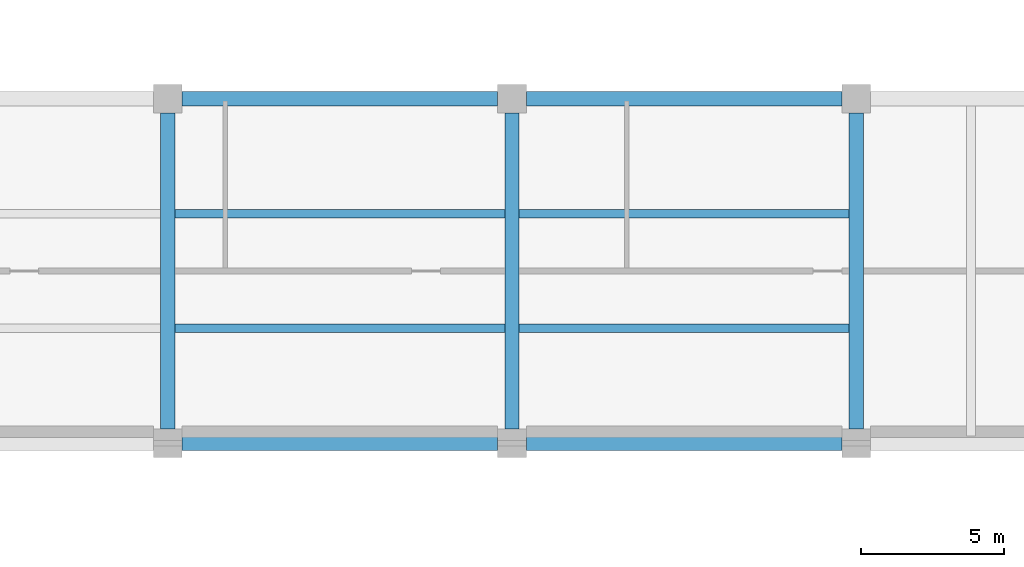
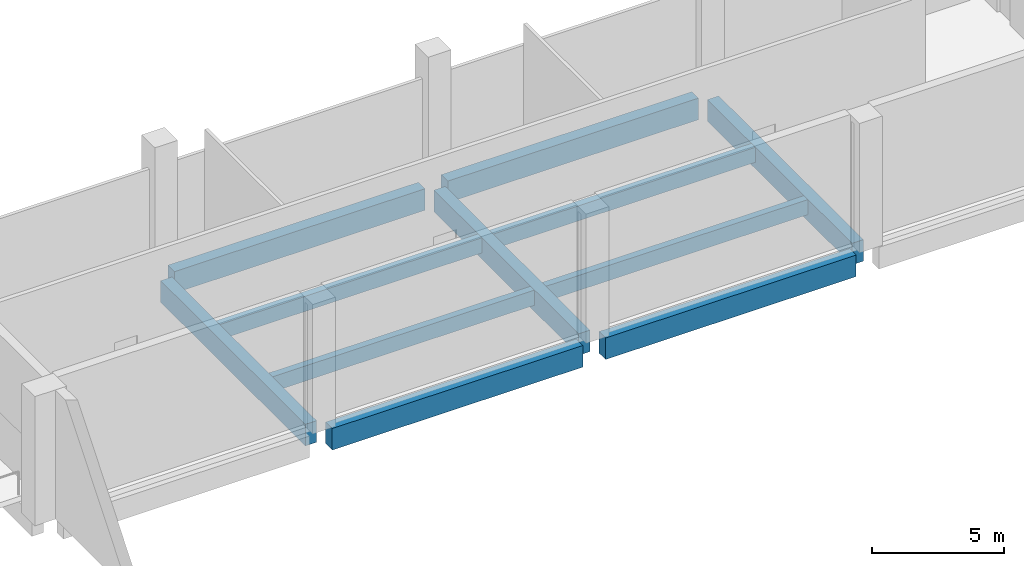
# One storey, part 18 of 72: 11 beams.
"""IFC4 building model written with IfcOpenShell, lengths in metres."""

from ifc_helpers import new_model, si_unit, direction, frame, origin, origin_2d, place, context, subcontext, project, spatial, rectangle, extrude, material, material_profile, profile_set, type_object, element, save


model = new_model("IFC4")

# Units and contexts
model_context = context("Model", 3, precision=1e-05, world=origin(), true_north=direction((0.0, 1.0)))
body_context = subcontext(model_context, "Body", "Model", "MODEL_VIEW")
ifc_project = project(units=[si_unit("LENGTHUNIT", "METRE"), si_unit("AREAUNIT", "SQUARE_METRE"), si_unit("VOLUMEUNIT", "CUBIC_METRE"), si_unit("PLANEANGLEUNIT", "RADIAN"), si_unit("MASSUNIT", "GRAM", prefix="KILO")], contexts=[model_context])

# Site, building, storey
site_placement = place(None, origin())
site = spatial("IfcSite", under=ifc_project, at=site_placement, CompositionType="ELEMENT")
building_placement = place(site_placement, origin())
building = spatial("IfcBuilding", under=site, at=building_placement, Name="Lilac Gate Convention Centre", CompositionType="ELEMENT")
storey_placement = place(building_placement, frame((0.0, 0.0, 6.0)))
storey = spatial("IfcBuildingStorey", under=building, at=storey_placement, Name="L01", CompositionType="ELEMENT", Elevation=6.0)

# Beams
ifc_material = material(Name="Concrete C40", Category="concrete")
ifc_material_profile_1 = material_profile(ifc_material, rectangle(XDim=0.5, YDim=1.0, at=origin_2d()), Name="RC 500x1000")
ifc_profile_set_1 = profile_set([ifc_material_profile_1], Name="Concrete C40")
beam_type_1 = type_object("IfcBeamType", Name="Primary beam 500x1000 C40", PredefinedType="BEAM", material=ifc_profile_set_1)
for number, where, z_axis, x_axis, name in (
    (1, (42.5, 102.0, -0.75), (1.0, 0.0, 0.0), (0.0, 1.0, 0.0), "RB1 L01 4/G-5/G"),
    (2, (54.5, 102.0, -0.75), (1.0, 0.0, 0.0), (0.0, 1.0, 0.0), "RB1 L01 5/G-6/G"),
    (3, (42.5, 114.0, -0.75), (1.0, 0.0, 0.0), (0.0, 1.0, 0.0), "RB1 L01 4/H-5/H"),
    (4, (54.5, 114.0, -0.75), (1.0, 0.0, 0.0), (0.0, 1.0, 0.0), "RB1 L01 5/H-6/H"),
    (5, (42.0, 102.5, -0.75), (0.0, 1.0, 0.0), (-1.0, 0.0, 0.0), "RB1 L01 4/G-4/H"),
    (6, (54.0, 102.5, -0.75), (0.0, 1.0, 0.0), (-1.0, 0.0, 0.0), "RB1 L01 5/G-5/H"),
    (7, (66.0, 102.5, -0.75), (0.0, 1.0, 0.0), (-1.0, 0.0, 0.0), "RB1 L01 6/G-6/H"),
):
    element("IfcBeam", number, at=place(storey_placement, frame(where, z_axis=z_axis, x_axis=x_axis)), inside=storey, type_object=beam_type_1, Name=name, PredefinedType="BEAM", context=body_context, shape_type="SweptSolid", body=[
        extrude(rectangle(XDim=0.5, YDim=1.0, at=origin_2d()), origin(), (0.0, 0.0, 1.0), 11.0),
    ])
ifc_material_profile_2 = material_profile(ifc_material, rectangle(XDim=0.300048828125, YDim=0.699951171875, at=origin_2d()), Name="RC 300x700")
ifc_profile_set_2 = profile_set([ifc_material_profile_2], Name="Concrete C40")
beam_type_2 = type_object("IfcBeamType", Name="Secondary beam 300x700 C40", PredefinedType="BEAM", material=ifc_profile_set_2)
for number, where, z_axis, x_axis, name in (
    (8, (42.25, 106.0, -0.60009765625), (1.0, 0.0, 0.0), (0.0, 1.0, 0.0), "RB2 L01 bay 4/G"),
    (9, (42.25, 110.0, -0.60009765625), (1.0, 0.0, 0.0), (0.0, 1.0, 0.0), "RB2 L01 bay 4/G"),
    (10, (54.25, 106.0, -0.60009765625), (1.0, 0.0, 0.0), (0.0, 1.0, 0.0), "RB2 L01 bay 5/G"),
    (11, (54.25, 110.0, -0.60009765625), (1.0, 0.0, 0.0), (0.0, 1.0, 0.0), "RB2 L01 bay 5/G"),
):
    element("IfcBeam", number, at=place(storey_placement, frame(where, z_axis=z_axis, x_axis=x_axis)), inside=storey, type_object=beam_type_2, Name=name, PredefinedType="BEAM", context=body_context, shape_type="SweptSolid", body=[
        extrude(rectangle(XDim=0.300048828125, YDim=0.699951171875, at=origin_2d()), origin(), (0.0, 0.0, 1.0), 11.5),
    ])

save(model, "model.ifc")
